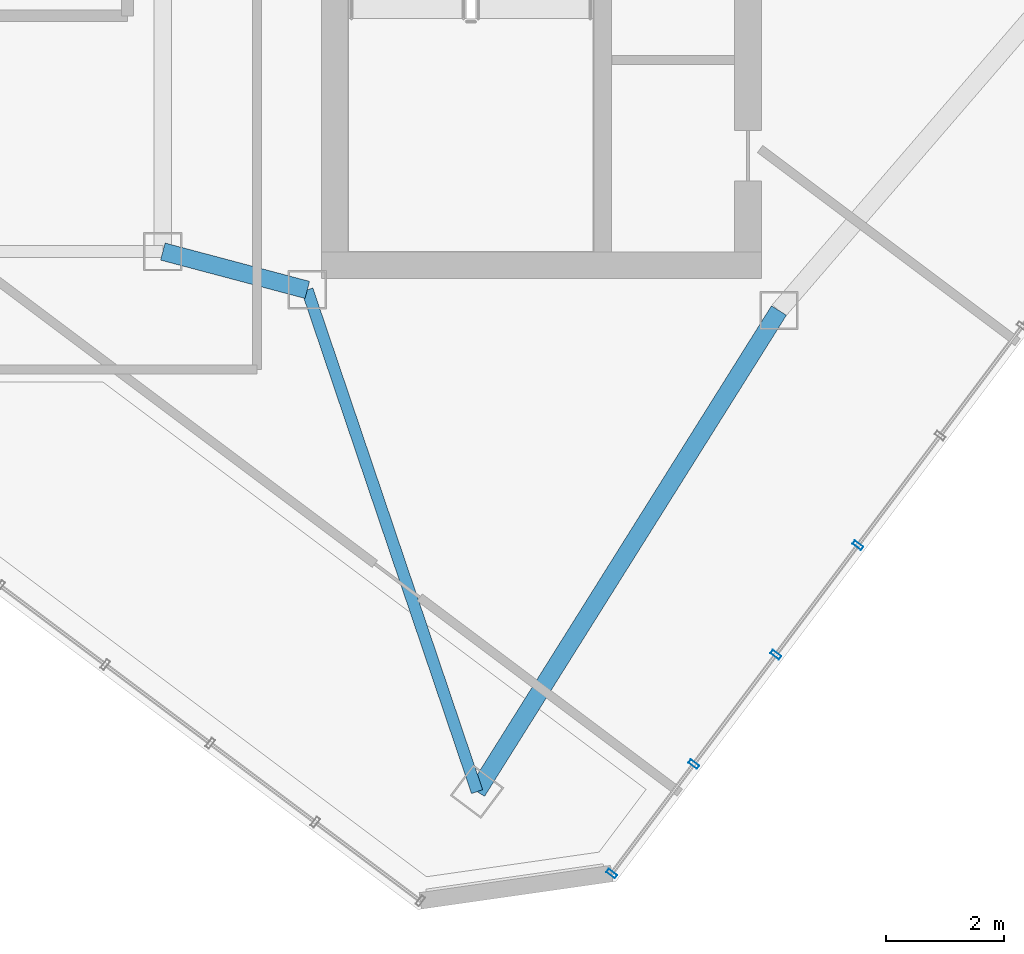
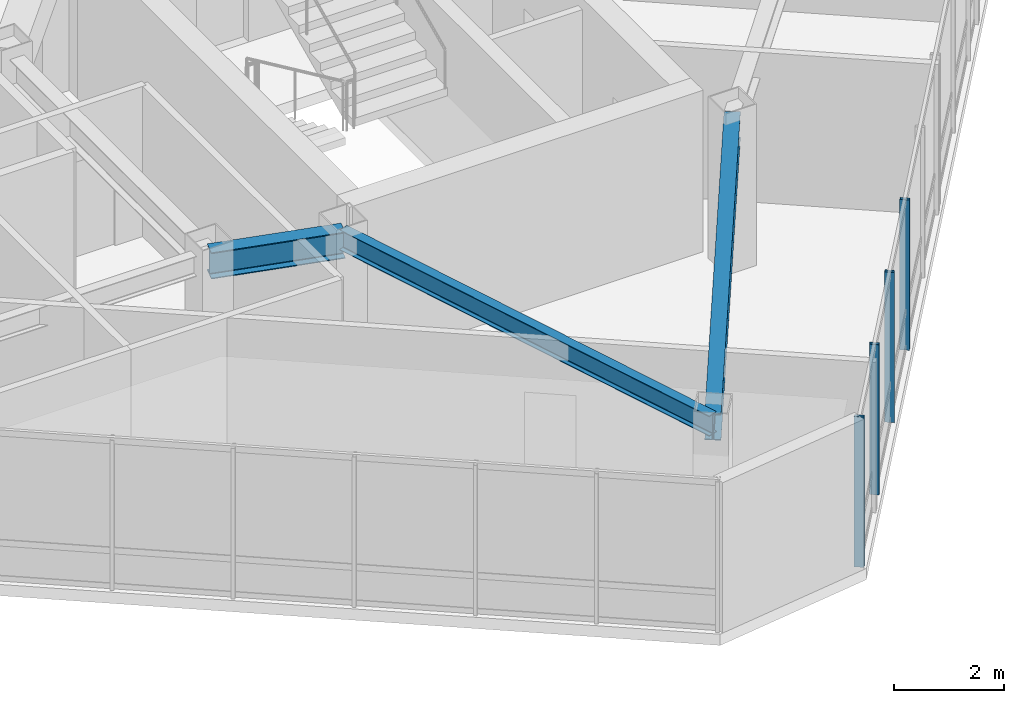
# One storey, part 6 of 21: 4 members, 3 beams, 1 element without a shape of its own.
"""IFC4 building model written with IfcOpenShell, lengths in metres."""

from ifc_helpers import new_model, si_unit, direction, frame, origin, origin_2d, place, context, subcontext, project, spatial, hollow_rectangle, i_section, extrude, material, layer, layer_set, material_profile, profile_set, type_object, element, aggregate, save


model = new_model("IFC4")

# Units and contexts
model_context = context("Model", 3, precision=1e-05, world=origin(), true_north=direction((0.0, 1.0)))
body_context = subcontext(model_context, "Body", "Model", "MODEL_VIEW")
ifc_project = project(units=[si_unit("LENGTHUNIT", "METRE"), si_unit("AREAUNIT", "SQUARE_METRE"), si_unit("VOLUMEUNIT", "CUBIC_METRE"), si_unit("PLANEANGLEUNIT", "RADIAN"), si_unit("MASSUNIT", "GRAM", prefix="KILO")], contexts=[model_context])

# Site, building, storey
site_placement = place(None, origin())
site = spatial("IfcSite", under=ifc_project, at=site_placement, CompositionType="ELEMENT")
building_placement = place(site_placement, origin())
building = spatial("IfcBuilding", under=site, at=building_placement, Name="Hatsunagi Terrace Concourse", CompositionType="ELEMENT")
storey_placement = place(building_placement, frame((0.0, 0.0, 246.75)))
storey = spatial("IfcBuildingStorey", under=building, at=storey_placement, Name="L65", CompositionType="ELEMENT", Elevation=246.75)

# Curtain wall, members
ifc_material_1 = material(Name="Anodised Aluminium Alloy 6063-T5", Category="aluminium")
ifc_layer = layer(ifc_material_1, 0.199951171875)
ifc_layer_set = layer_set([ifc_layer], Name="OfficeZone2_CW04")
curtain_wall_type = type_object("IfcCurtainWallType", Name="OfficeZone2_CW04", PredefinedType="NOTDEFINED", material=ifc_layer_set)
curtain_wall_placement = place(storey_placement, origin())
curtain_wall = element("IfcCurtainWall", 1, at=curtain_wall_placement, inside=storey, type_object=curtain_wall_type, Name="Unitised Curtain Wall CW-04 CW-L65-03", PredefinedType="NOTDEFINED")
ifc_material_2 = material(Name="Anodised Aluminium Alloy 6063-T5", Category="aluminium")
ifc_material_profile_1 = material_profile(ifc_material_2, hollow_rectangle(XDim=0.070068359375, YDim=0.179931640625, WallThickness=0.00390625, at=origin_2d()), Name="ALU-MUL-180x70x4")
ifc_profile_set_1 = profile_set([ifc_material_profile_1], Name="Anodised Aluminium Alloy 6063-T5")
member_type = type_object("IfcMemberType", Name="CurtainWallMullion_180x70", PredefinedType="MULLION", material=ifc_profile_set_1)
member_1_placement = place(storey_placement, frame((45.139892578125, 20.218994140625, 0.0), z_axis=(0.0, 0.0, 1.0), x_axis=(-0.599969314634, -0.800023013105, 0.0)))
member_1 = element("IfcMember", 2, at=member_1_placement, type_object=member_type, Name="Curtain Wall Mullion MUL-02", PredefinedType="MULLION", context=body_context, shape_type="SweptSolid", body=[
    extrude(hollow_rectangle(XDim=0.070068359375, YDim=0.179931640625, WallThickness=0.00390625, at=origin_2d()), origin(), (0.0, 0.0, 1.0), 3.35009765625),
])
member_2_placement = place(storey_placement, frame((43.7470703125, 18.363037109375, 0.0), z_axis=(0.0, 0.0, 1.0), x_axis=(-0.599969314634, -0.800023013105, 0.0)))
member_2 = element("IfcMember", 3, at=member_2_placement, type_object=member_type, Name="Curtain Wall Mullion MUL-02", PredefinedType="MULLION", context=body_context, shape_type="SweptSolid", body=[
    extrude(hollow_rectangle(XDim=0.070068359375, YDim=0.179931640625, WallThickness=0.00390625, at=origin_2d()), origin(), (0.0, 0.0, 1.0), 3.35009765625),
])
member_3_placement = place(storey_placement, frame((42.35498046875, 16.506103515625, 0.0), z_axis=(0.0, 0.0, 1.0), x_axis=(-0.599969314634, -0.800023013105, 0.0)))
member_3 = element("IfcMember", 4, at=member_3_placement, type_object=member_type, Name="Curtain Wall Mullion MUL-02", PredefinedType="MULLION", context=body_context, shape_type="SweptSolid", body=[
    extrude(hollow_rectangle(XDim=0.070068359375, YDim=0.179931640625, WallThickness=0.00390625, at=origin_2d()), origin(), (0.0, 0.0, 1.0), 3.35009765625),
])
member_4_placement = place(storey_placement, frame((40.962890625, 14.64990234375, 0.0), z_axis=(0.0, 0.0, 1.0), x_axis=(-0.599969314634, -0.800023013105, 0.0)))
member_4 = element("IfcMember", 5, at=member_4_placement, type_object=member_type, Name="Curtain Wall Mullion MUL-02", PredefinedType="MULLION", context=body_context, shape_type="SweptSolid", body=[
    extrude(hollow_rectangle(XDim=0.070068359375, YDim=0.179931640625, WallThickness=0.00390625, at=origin_2d()), origin(), (0.0, 0.0, 1.0), 3.35009765625),
])
aggregate(curtain_wall, [member_1, member_2, member_3, member_4])

# Beams
ifc_material_3 = material(Name="Steel SN490B", Category="steel")
ifc_material_profile_2 = material_profile(ifc_material_3, i_section(OverallWidth=0.300048828125, OverallDepth=0.587890625, WebThickness=0.011962890625, FlangeThickness=0.02001953125, FilletRadius=0.01806640625, at=origin_2d()), Name="H-588x300x12x20")
ifc_profile_set_2 = profile_set([ifc_material_profile_2], Name="Steel SN490B")
beam_type_1 = type_object("IfcBeamType", Name="OfficeHighGirder_H_588x300", PredefinedType="BEAM", material=ifc_profile_set_2)
beam_1_placement = place(storey_placement, frame((33.35009765625, 25.199951171875, 3.055908203125), z_axis=(0.966569840116, -0.256403479262, 0.0), x_axis=(0.256403479262, 0.966569840116, 0.0)))
element("IfcBeam", 6, at=beam_1_placement, inside=storey, type_object=beam_type_1, Name="Beam G-06 BM-L65-K2CB", PredefinedType="BEAM", context=body_context, shape_type="SweptSolid", body=[
    extrude(i_section(OverallWidth=0.300048828125, OverallDepth=0.587890625, WebThickness=0.011962890625, FlangeThickness=0.02001953125, FilletRadius=0.01806640625, at=origin_2d()), origin(), (0.0, 0.0, 1.0), 2.53466796875),
])
beam_2_placement = place(storey_placement, frame((38.679931640625, 16.0400390625, 3.055908203125), z_axis=(0.531503907049, 0.847055840421, 0.0), x_axis=(-0.847055840421, 0.531503907049, 0.0)))
element("IfcBeam", 7, at=beam_2_placement, inside=storey, type_object=beam_type_1, Name="Beam G-06 BM-L65-SET-1A", PredefinedType="BEAM", context=body_context, shape_type="SweptSolid", body=[
    extrude(i_section(OverallWidth=0.300048828125, OverallDepth=0.587890625, WebThickness=0.011962890625, FlangeThickness=0.02001953125, FilletRadius=0.01806640625, at=origin_2d()), origin(), (0.0, 0.0, 1.0), 9.63330078125),
])
ifc_material_4 = material(Name="Steel SN490B", Category="steel")
ifc_material_profile_3 = material_profile(ifc_material_4, i_section(OverallWidth=0.199951171875, OverallDepth=0.449951171875, WebThickness=0.009033203125, FlangeThickness=0.013916015625, FilletRadius=0.01611328125, at=origin_2d()), Name="H-450x200x9x14")
ifc_profile_set_3 = profile_set([ifc_material_profile_3], Name="Steel SN490B")
beam_type_2 = type_object("IfcBeamType", Name="PerimeterSpandrel_H_450x200", PredefinedType="SPANDREL", material=ifc_profile_set_3)
beam_3_placement = place(storey_placement, frame((35.800048828125, 24.550048828125, 3.125), z_axis=(0.320553412271, -0.947230441805, 0.0), x_axis=(0.947230441805, 0.320553412271, 0.0)))
element("IfcBeam", 8, at=beam_3_placement, inside=storey, type_object=beam_type_2, Name="Beam SP-02 BM-L65-SE-SW0", PredefinedType="SPANDREL", context=body_context, shape_type="SweptSolid", body=[
    extrude(i_section(OverallWidth=0.199951171875, OverallDepth=0.449951171875, WebThickness=0.009033203125, FlangeThickness=0.013916015625, FilletRadius=0.01611328125, at=origin_2d()), origin(), (0.0, 0.0, 1.0), 8.984130859375),
])

save(model, "model.ifc")
